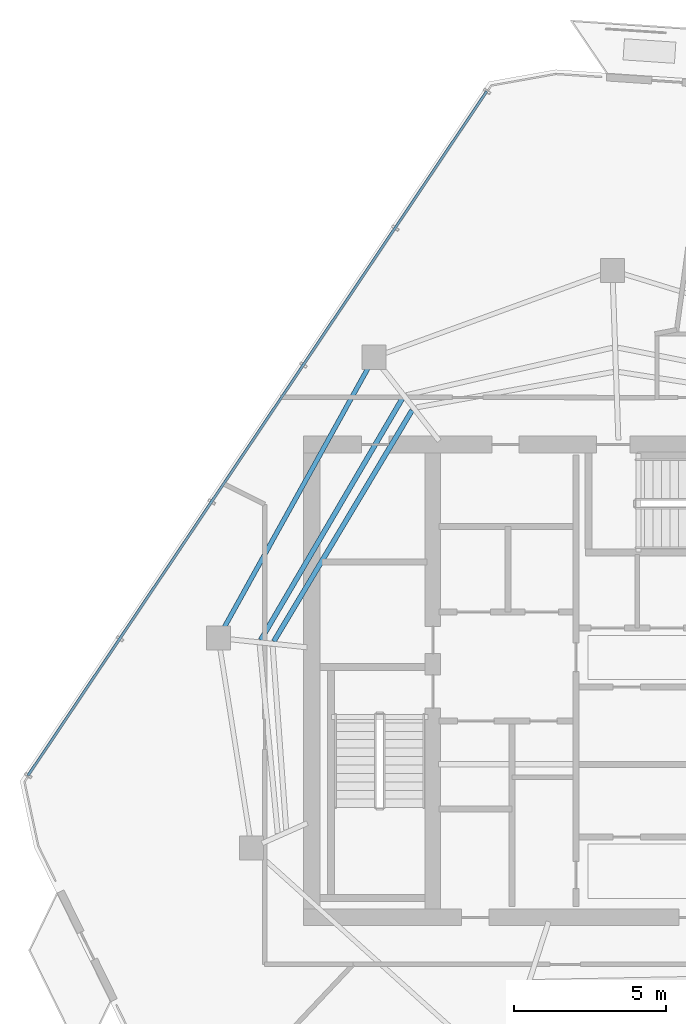
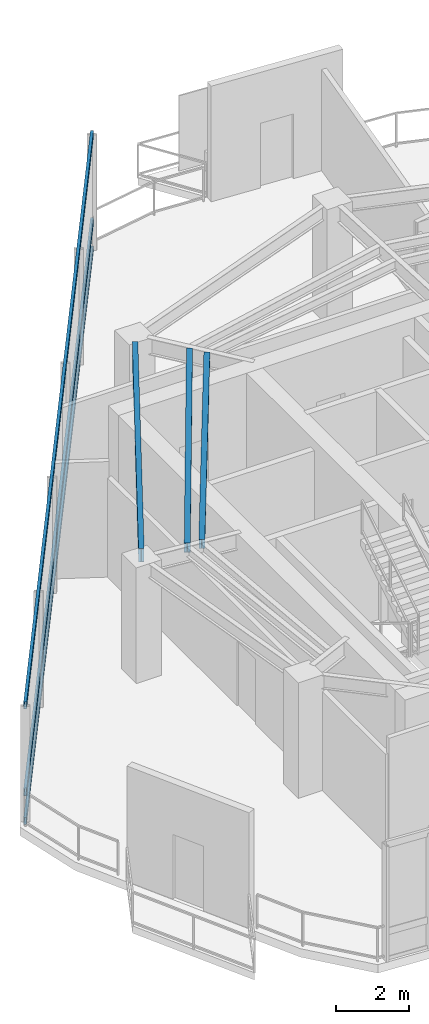
# One storey, part 7 of 18: 3 beams, 3 members, 1 element without a shape of its own.
"""IFC4 building model written with IfcOpenShell, lengths in metres."""

from ifc_helpers import new_model, si_unit, direction, frame, origin, origin_2d, place, context, subcontext, project, spatial, hollow_rectangle, i_section, extrude, material, layer, layer_set, material_profile, profile_set, type_object, element, aggregate, save


model = new_model("IFC4")

# Units and contexts
model_context = context("Model", 3, precision=1e-05, world=origin(), true_north=direction((0.0, 1.0)))
body_context = subcontext(model_context, "Body", "Model", "MODEL_VIEW")
ifc_project = project(units=[si_unit("LENGTHUNIT", "METRE"), si_unit("AREAUNIT", "SQUARE_METRE"), si_unit("VOLUMEUNIT", "CUBIC_METRE"), si_unit("PLANEANGLEUNIT", "RADIAN"), si_unit("MASSUNIT", "GRAM", prefix="KILO")], contexts=[model_context])

# Site, building, storey
site_placement = place(None, origin())
site = spatial("IfcSite", under=ifc_project, at=site_placement, CompositionType="ELEMENT")
building_placement = place(site_placement, origin())
building = spatial("IfcBuilding", under=site, at=building_placement, Name="Qarnah Convention Tower", CompositionType="ELEMENT")
storey_placement = place(building_placement, frame((0.0, 0.0, 279.300048828125)))
storey = spatial("IfcBuildingStorey", under=building, at=storey_placement, Name="L75", CompositionType="ELEMENT", Elevation=279.300048828125)

# Beams
ifc_material_1 = material(Name="Structural steel S355JR", Category="steel")
ifc_material_profile_1 = material_profile(ifc_material_1, i_section(OverallWidth=0.166015625, OverallDepth=0.31201171875, WebThickness=0.007080078125, FlangeThickness=0.010986328125, at=origin_2d()), Name="W310X45")
ifc_profile_set_1 = profile_set([ifc_material_profile_1], Name="Structural steel S355JR")
beam_type_1 = type_object("IfcBeamType", Name="BM-JST-W310", PredefinedType="JOIST", material=ifc_profile_set_1)
beam_1_placement = place(storey_placement, frame((29.801025390625, 35.73388671875, 3.683837890625), z_axis=(-0.505632134477, -0.862749178258, 0.0), x_axis=(0.862749178258, -0.505632134477, 0.0)))
element("IfcBeam", 1, at=beam_1_placement, inside=storey, type_object=beam_type_1, Name="L75 joist BM-L75-SJST-04", PredefinedType="JOIST", context=body_context, shape_type="SweptSolid", body=[
    extrude(i_section(OverallWidth=0.166015625, OverallDepth=0.31201171875, WebThickness=0.007080078125, FlangeThickness=0.010986328125, at=origin_2d()), origin(), (0.0, 0.0, 1.0), 9.251708984375),
])
beam_2_placement = place(storey_placement, frame((30.115966796875, 35.33203125, 3.683837890625), z_axis=(-0.513372127696, -0.858166101932, 0.0), x_axis=(0.858166101932, -0.513372127696, 0.0)))
element("IfcBeam", 2, at=beam_2_placement, inside=storey, type_object=beam_type_1, Name="L75 joist BM-L75-IJST-04", PredefinedType="JOIST", context=body_context, shape_type="SweptSolid", body=[
    extrude(i_section(OverallWidth=0.166015625, OverallDepth=0.31201171875, WebThickness=0.007080078125, FlangeThickness=0.010986328125, at=origin_2d()), origin(), (0.0, 0.0, 1.0), 8.886474609375),
])
ifc_material_profile_2 = material_profile(ifc_material_1, i_section(OverallWidth=0.154052734375, OverallDepth=0.4599609375, WebThickness=0.009033203125, FlangeThickness=0.014892578125, at=origin_2d()), Name="W460X68")
ifc_profile_set_2 = profile_set([ifc_material_profile_2], Name="Structural steel S355JR")
beam_type_2 = type_object("IfcBeamType", Name="BM-SPN-W460B", PredefinedType="SPANDREL", material=ifc_profile_set_2)
beam_3_placement = place(storey_placement, frame((28.6689453125, 36.737060546875, 3.60986328125), z_axis=(-0.48479748752, -0.87462643231, 0.0), x_axis=(0.87462643231, -0.48479748752, 0.0)))
element("IfcBeam", 3, at=beam_3_placement, inside=storey, type_object=beam_type_2, Name="L75 spandrel BM-L75-SPN-04", PredefinedType="SPANDREL", context=body_context, shape_type="SweptSolid", body=[
    extrude(i_section(OverallWidth=0.154052734375, OverallDepth=0.4599609375, WebThickness=0.009033203125, FlangeThickness=0.014892578125, at=origin_2d()), origin(), (0.0, 0.0, 1.0), 9.81005859375),
])

# Curtain wall, members
ifc_material_2 = material(Name="Tempered Low-E dark glass", Category="glass")
ifc_layer = layer(ifc_material_2, 0.177978515625)
ifc_layer_set = layer_set([ifc_layer], Name="Tempered Low-E dark glass")
curtain_wall_type = type_object("IfcCurtainWallType", Name="CWS-06", PredefinedType="NOTDEFINED", material=ifc_layer_set)
curtain_wall_placement = place(storey_placement, origin())
curtain_wall = element("IfcCurtainWall", 4, at=curtain_wall_placement, inside=storey, type_object=curtain_wall_type, Name="L75 unitised curtain wall CW-L75-F2", PredefinedType="NOTDEFINED")
ifc_material_3 = material(Name="Black anodised aluminium", Category="aluminium")
ifc_material_profile_3 = material_profile(ifc_material_3, hollow_rectangle(XDim=0.0849609375, YDim=0.22998046875, WallThickness=0.006103515625, at=origin_2d()), Name="TRN-85X230")
ifc_profile_set_3 = profile_set([ifc_material_profile_3], Name="Black anodised aluminium")
member_type = type_object("IfcMemberType", Name="TRN-T6", PredefinedType="USERDEFINED", material=ifc_profile_set_3)
member_1_placement = place(storey_placement, frame((17.445068359375, 23.280029296875, 0.0), z_axis=(0.556851647128, 0.830611969027, 0.0), x_axis=(-0.830611969027, 0.556851647128, 0.0)))
member_1 = element("IfcMember", 5, at=member_1_placement, type_object=member_type, Name="CW-L75-F2 transom 1", ObjectType="TRANSOM", PredefinedType="USERDEFINED", context=body_context, shape_type="SweptSolid", body=[
    extrude(hollow_rectangle(XDim=0.0849609375, YDim=0.22998046875, WallThickness=0.006103515625, at=origin_2d()), origin(), (0.0, 0.0, 1.0), 27.184814453125),
])
member_2_placement = place(storey_placement, frame((17.445068359375, 23.280029296875, 0.949951171875), z_axis=(0.556851647128, 0.830611969027, 0.0), x_axis=(-0.830611969027, 0.556851647128, 0.0)))
member_2 = element("IfcMember", 6, at=member_2_placement, type_object=member_type, Name="CW-L75-F2 transom 2", ObjectType="TRANSOM", PredefinedType="USERDEFINED", context=body_context, shape_type="SweptSolid", body=[
    extrude(hollow_rectangle(XDim=0.0849609375, YDim=0.22998046875, WallThickness=0.006103515625, at=origin_2d()), origin(), (0.0, 0.0, 1.0), 27.184814453125),
])
member_3_placement = place(storey_placement, frame((17.445068359375, 23.280029296875, 3.83984375), z_axis=(0.556851647128, 0.830611969027, 0.0), x_axis=(-0.830611969027, 0.556851647128, 0.0)))
member_3 = element("IfcMember", 7, at=member_3_placement, type_object=member_type, Name="CW-L75-F2 transom 3", ObjectType="TRANSOM", PredefinedType="USERDEFINED", context=body_context, shape_type="SweptSolid", body=[
    extrude(hollow_rectangle(XDim=0.0849609375, YDim=0.22998046875, WallThickness=0.006103515625, at=origin_2d()), origin(), (0.0, 0.0, 1.0), 27.184814453125),
])
aggregate(curtain_wall, [member_1, member_2, member_3])

save(model, "model.ifc")
